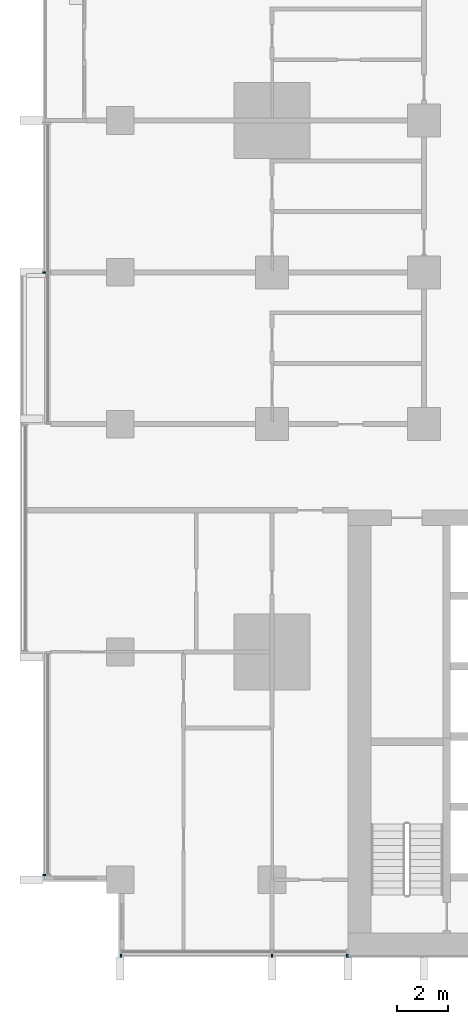
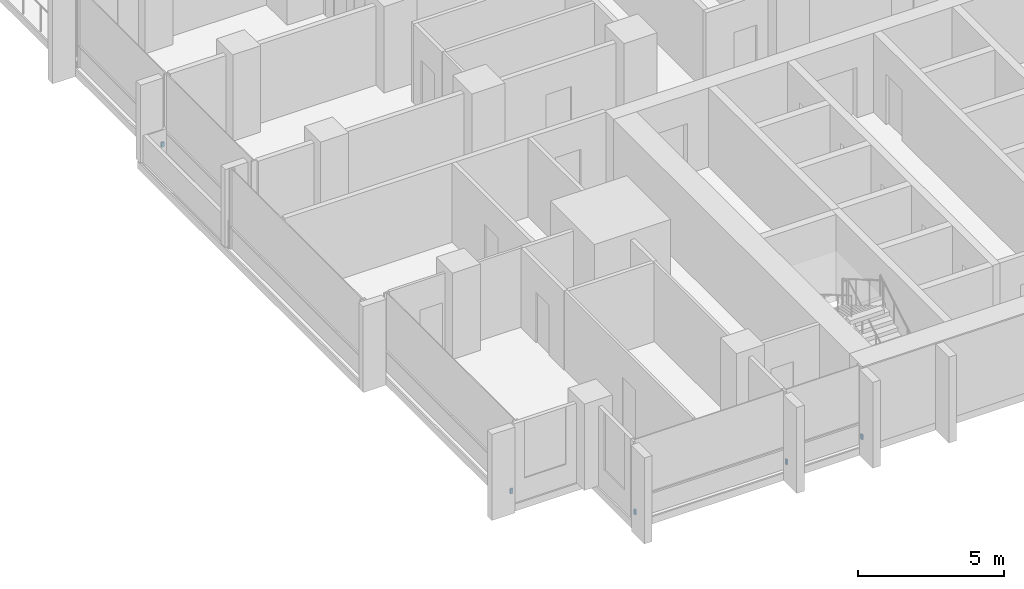
# One storey, part 13 of 17: 5 discrete accessories.
"""IFC4 building model written with IfcOpenShell, lengths in metres."""

import ifcopenshell
import ifcopenshell.guid

model = None  # the IFC model being written
_history = None  # IfcOwnerHistory: only IFC2X3 demands one
_inside = {}  # id of a spatial element -> (the spatial element, [elements in it])
_under = {}  # id of a project, library or spatial element -> (it, [spatial elements below it])
_declared = {}  # id of a project -> (the project, [libraries it declares])
_typed = {}  # id of a type object -> (the type object, [elements of that type])
_made_of = {}  # id of a material, layer set ... -> (it, [elements and type objects made of it])


def new_model(schema):
    """Start an empty IFC model of exactly this schema.

    Asked for "IFC4X3", IfcOpenShell would pick the latest addendum, in which some entities
    have other attributes; the version numbers below select the first issue.
    IFC2X3 requires an IfcOwnerHistory on every rooted entity: one is made here for all.
    """
    global model, _history
    if schema == "IFC4X3":
        model = ifcopenshell.file(schema_version=(4, 3, 0, 0))
    else:
        model = ifcopenshell.file(schema=schema)
    _inside.clear()
    _under.clear()
    _declared.clear()
    _typed.clear()
    _made_of.clear()
    _history = None
    if model.schema == "IFC2X3":
        org = make("IfcOrganization", Name="unknown")
        user = make(
            "IfcPersonAndOrganization",
            ThePerson=make("IfcPerson", FamilyName="unknown"),
            TheOrganization=org,
        )
        app = make(
            "IfcApplication",
            ApplicationDeveloper=org,
            Version="unknown",
            ApplicationFullName="unknown",
            ApplicationIdentifier="unknown",
        )
        _history = make(
            "IfcOwnerHistory",
            OwningUser=user,
            OwningApplication=app,
            ChangeAction="ADDED",
            CreationDate=0,
        )
    return model


def make(cls, **values):
    """One entity of the class cls with the attributes given. An attribute that is None is left unset."""
    return model.create_entity(
        cls, **{name: value for name, value in values.items() if value is not None}
    )


def rooted(cls, **values):
    """An entity with a GlobalId (a new one), such as an element, a storey or a relation."""
    return make(cls, GlobalId=ifcopenshell.guid.new(), OwnerHistory=_history, **values)


def si_unit(unit_type, name, prefix=None):
    """IfcSIUnit, for example si_unit("LENGTHUNIT", "METRE", prefix="MILLI")."""
    return make("IfcSIUnit", UnitType=unit_type, Prefix=prefix, Name=name)


def assignment(units):
    """IfcUnitAssignment: the units of a project."""
    return None if units is None else make("IfcUnitAssignment", Units=units)


def point(xyz):
    """IfcCartesianPoint."""
    return None if xyz is None else make("IfcCartesianPoint", Coordinates=xyz)


def direction(xyz):
    """IfcDirection."""
    return None if xyz is None else make("IfcDirection", DirectionRatios=xyz)


def frame(location, z_axis=None, x_axis=None):
    """IfcAxis2Placement3D, a coordinate frame: its origin and axes. An axis left out is left unset."""
    return make(
        "IfcAxis2Placement3D",
        Location=point(location),
        Axis=direction(z_axis),
        RefDirection=direction(x_axis),
    )


def frame_2d(location, x_axis=None):
    """IfcAxis2Placement2D, a coordinate frame in the plane: its origin and x axis."""
    return make(
        "IfcAxis2Placement2D", Location=point(location), RefDirection=direction(x_axis)
    )


def origin():
    """The frame at (0, 0, 0) with its axes left unset."""
    return frame((0.0, 0.0, 0.0))


def origin_2d():
    """The frame at (0, 0) in the plane with its x axis left unset."""
    return frame_2d((0.0, 0.0))


def place(relative_to, where):
    """IfcLocalPlacement: puts the frame where relative to a parent placement (None: the world)."""
    return make(
        "IfcLocalPlacement", PlacementRelTo=relative_to, RelativePlacement=where
    )


def context(
    kind, dimensions, precision=None, world=None, true_north=None, identifier=None
):
    """IfcGeometricRepresentationContext, for example the 3D "Model" context."""
    return make(
        "IfcGeometricRepresentationContext",
        ContextIdentifier=identifier,
        ContextType=kind,
        CoordinateSpaceDimension=dimensions,
        Precision=precision,
        WorldCoordinateSystem=world,
        TrueNorth=true_north,
    )


def subcontext(parent, identifier, kind, view, scale=None):
    """IfcGeometricRepresentationSubContext, for example "Body" below "Model"."""
    return make(
        "IfcGeometricRepresentationSubContext",
        ContextIdentifier=identifier,
        ContextType=kind,
        ParentContext=parent,
        TargetScale=scale,
        TargetView=view,
    )


def project(units=None, contexts=None):
    """IfcProject with its units and contexts."""
    return rooted(
        "IfcProject",
        Name="project",
        RepresentationContexts=contexts,
        UnitsInContext=assignment(units),
    )


def spatial(cls, under=None, at=None, **own):
    """A site, building, storey or space (cls), placed at a placement, below another one or the project."""
    s = rooted(cls, ObjectPlacement=at, **own)
    if under is not None:
        _under.setdefault(under.id(), (under, []))[1].append(s)
    return s


def profile(cls, at=None, kind="AREA", **sizes):
    """A parametric profile (cls). Its sizes go by their IFC names, for example OverallWidth=200.0."""
    return make(cls, ProfileType=kind, Position=at, **sizes)


def rectangle(**sizes):
    """IfcRectangleProfileDef."""
    return profile("IfcRectangleProfileDef", **sizes)


def extrude(swept, where, along, depth):
    """IfcExtrudedAreaSolid: the profile swept, set in the frame where, extruded along a direction by depth."""
    return make(
        "IfcExtrudedAreaSolid",
        SweptArea=swept,
        Position=where,
        ExtrudedDirection=direction(along),
        Depth=depth,
    )


def shape(context_of_items, identifier, shape_type, items):
    """IfcShapeRepresentation: the items that make up one representation, for example the "Body"."""
    return make(
        "IfcShapeRepresentation",
        ContextOfItems=context_of_items,
        RepresentationIdentifier=identifier,
        RepresentationType=shape_type,
        Items=items,
    )


def material(Name=None, Category=None):
    """IfcMaterial."""
    return make("IfcMaterial", Name=Name, Category=Category)


def made_of(thing, what):
    """Note that an element or type object is made of a material, layer set ...; save() writes the relation."""
    if what is not None:
        _made_of.setdefault(what.id(), (what, []))[1].append(thing)
    return thing


def type_object(cls, material=None, **own):
    """A type object (cls), such as IfcWallType, which elements share."""
    return made_of(rooted(cls, **own), material)


def element(
    cls,
    number,
    at=None,
    inside=None,
    cuts=None,
    type_object=None,
    material=None,
    context=None,
    identifier="Body",
    shape_type=None,
    held_by="IfcProductDefinitionShape",
    body=None,
    shapes=None,
    **own,
):
    """One element of the class cls, such as IfcWall. Its Tag is "e" and its number.

    at: its placement. inside: the storey or other place that contains it. cuts: it is an
    opening in that element (IfcRelVoidsElement). A single representation is given by context,
    identifier, shape_type and body (its items); several are given by shapes. held_by: the class
    of the entity that holds the representations. save() writes the other relations.
    """
    e = rooted(cls, Tag="e%d" % number, ObjectPlacement=at, **own)
    if body is not None:
        shapes = [shape(context, identifier, shape_type, body)]
    if shapes is not None:
        e.Representation = make(held_by, Representations=shapes)
    if inside is not None:
        _inside.setdefault(inside.id(), (inside, []))[1].append(e)
    if cuts is not None:
        rooted(
            "IfcRelVoidsElement", RelatingBuildingElement=cuts, RelatedOpeningElement=e
        )
    if type_object is not None:
        _typed.setdefault(type_object.id(), (type_object, []))[1].append(e)
    return made_of(e, material)


def aggregate(whole, parts):
    """IfcRelAggregates: a whole, such as a stair, and the parts it consists of."""
    return rooted("IfcRelAggregates", RelatingObject=whole, RelatedObjects=parts)


def save(model, path):
    """Write the relations noted so far, then the file.

    IfcRelAggregates (storeys below a building ...), IfcRelContainedInSpatialStructure (elements
    in a storey), IfcRelDefinesByType, IfcRelAssociatesMaterial and IfcRelDeclares: one each for
    every whole, place, type object, material and project.
    """
    for whole, parts in _under.values():
        aggregate(whole, parts)
    for where, things in _inside.values():
        rooted(
            "IfcRelContainedInSpatialStructure",
            RelatedElements=things,
            RelatingStructure=where,
        )
    for kind, things in _typed.values():
        rooted("IfcRelDefinesByType", RelatedObjects=things, RelatingType=kind)
    for what, things in _made_of.values():
        rooted("IfcRelAssociatesMaterial", RelatedObjects=things, RelatingMaterial=what)
    for by, libraries in _declared.values():
        rooted("IfcRelDeclares", RelatingContext=by, RelatedDefinitions=libraries)
    model.write(path)


model = new_model("IFC4")

# Units and contexts
model_context = context("Model", 3, precision=1e-05, world=origin(), true_north=direction((0.0, 1.0)))
body_context = subcontext(model_context, "Body", "Model", "MODEL_VIEW")
ifc_project = project(units=[si_unit("LENGTHUNIT", "METRE"), si_unit("AREAUNIT", "SQUARE_METRE"), si_unit("VOLUMEUNIT", "CUBIC_METRE"), si_unit("PLANEANGLEUNIT", "RADIAN"), si_unit("MASSUNIT", "GRAM", prefix="KILO")], contexts=[model_context])

# Site, building, storey
site_placement = place(None, origin())
site = spatial("IfcSite", under=ifc_project, at=site_placement, CompositionType="ELEMENT")
building_placement = place(site_placement, origin())
building = spatial("IfcBuilding", under=site, at=building_placement, Name="Finial Court Residences", CompositionType="ELEMENT")
storey_placement = place(building_placement, frame((0.0, 0.0, 61.300048828125)))
storey = spatial("IfcBuildingStorey", under=building, at=storey_placement, Name="L14", CompositionType="ELEMENT", Elevation=61.300048828125)

# Discrete accessories
ifc_material = material(Name="Stainless steel 316", Category="steel")
discrete_accessory_type = type_object("IfcDiscreteAccessoryType", Name="Fin bracket, stainless steel 65 x 110 x 200", PredefinedType="BRACKET", material=ifc_material)
for number, where, z_axis, x_axis, name in (
    (1, (-22.467529296875, -25.5048828125, 0.2998046875), (0.0, 0.0, 1.0), (1.0, 0.0, 0.0), "E-L14-FIN-S17-BRK"),
    (2, (-16.5, -25.5048828125, 0.2998046875), (0.0, 0.0, 1.0), (1.0, 0.0, 0.0), "E-L14-FIN-S18-BRK"),
    (3, (-13.532470703125, -25.5048828125, 0.2998046875), (0.0, 0.0, 1.0), (1.0, 0.0, 0.0), "E-L14-FIN-S19-BRK"),
):
    element("IfcDiscreteAccessory", number, at=place(storey_placement, frame(where, z_axis=z_axis, x_axis=x_axis)), inside=storey, type_object=discrete_accessory_type, Name=name, PredefinedType="BRACKET", context=body_context, shape_type="SweptSolid", body=[
        extrude(rectangle(XDim=0.06494140625, YDim=0.110107421875, at=origin_2d()), origin(), (0.0, 0.0, 1.0), 0.199951171875),
    ])
for number, where, z_axis, x_axis, name in (
    (4, (-25.5048828125, -22.3173828125, 0.2998046875), (0.0, 0.0, 1.0), (1.0, 0.0, 0.0), "E-L14-FIN-W27-BRK"),
    (5, (-25.5048828125, 1.5, 0.2998046875), (0.0, 0.0, 1.0), (1.0, 0.0, 0.0), "E-L14-FIN-W30-BRK"),
):
    element("IfcDiscreteAccessory", number, at=place(storey_placement, frame(where, z_axis=z_axis, x_axis=x_axis)), inside=storey, type_object=discrete_accessory_type, Name=name, PredefinedType="BRACKET", context=body_context, shape_type="SweptSolid", body=[
        extrude(rectangle(XDim=0.110107421875, YDim=0.06494140625, at=origin_2d()), origin(), (0.0, 0.0, 1.0), 0.199951171875),
    ])

save(model, "model.ifc")
